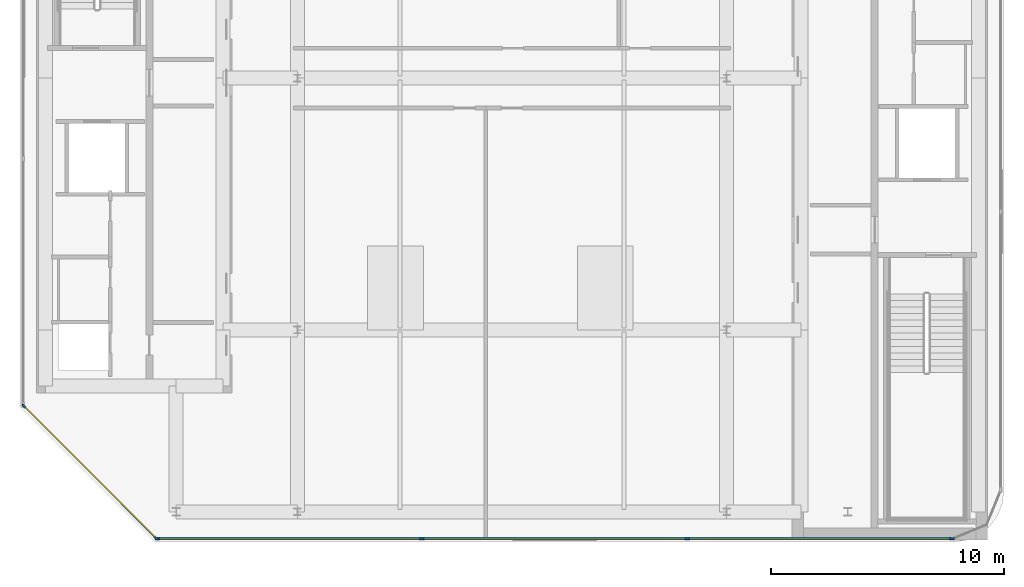
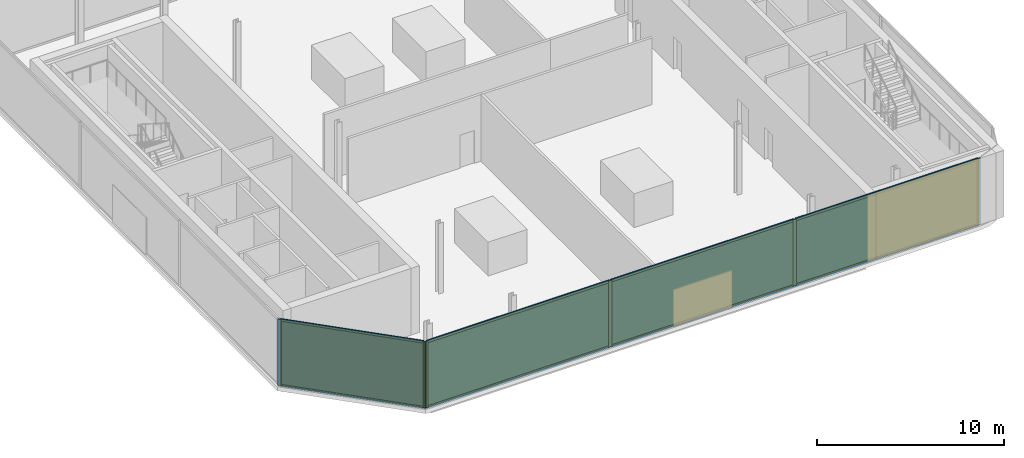
# One storey, part 7 of 15: 14 members, 4 plates, 2 curtain walls.
"""IFC4 building model written with IfcOpenShell, lengths in metres."""

from ifc_helpers import new_model, si_unit, direction, frame, frame_2d, origin, origin_2d, place, context, subcontext, project, spatial, rectangle, extrude, material, layer, layer_set, material_profile, profile_set, type_object, element, aggregate, save


model = new_model("IFC4")

# Units and contexts
model_context = context("Model", 3, precision=1e-05, world=origin(), true_north=direction((0.0, 1.0)))
body_context = subcontext(model_context, "Body", "Model", "MODEL_VIEW")
ifc_project = project(units=[si_unit("LENGTHUNIT", "METRE"), si_unit("AREAUNIT", "SQUARE_METRE"), si_unit("VOLUMEUNIT", "CUBIC_METRE"), si_unit("PLANEANGLEUNIT", "RADIAN"), si_unit("MASSUNIT", "GRAM", prefix="KILO")], contexts=[model_context])

# Member
ifc_material_1 = material(Name="Anodised Bronze Aluminium 6063-T6", Category="aluminium")
ifc_material_profile_1 = material_profile(ifc_material_1, rectangle(XDim=0.074951171875, YDim=0.2099609375, at=origin_2d()))
ifc_profile_set_1 = profile_set([ifc_material_profile_1], Name="Anodised Bronze Aluminium 6063-T6")
member_type_1 = type_object("IfcMemberType", Name="CW-CRN Mullion 75x210", PredefinedType="MULLION", material=ifc_profile_set_1)
site_placement = place(None, origin())
building_placement = place(site_placement, origin())
storey_placement = place(building_placement, frame((0.0, 0.0, 330.39990234375)))
member_1_placement = place(storey_placement, frame((18.853271484375, -19.760009765625, 0.0), z_axis=(0.0, 0.0, 1.0), x_axis=(0.0, -1.0, 0.0)))
member_1 = element("IfcMember", 1, at=member_1_placement, type_object=member_type_1, Name="CW-CRN mullion 1", PredefinedType="MULLION", context=body_context, shape_type="SweptSolid", body=[
    extrude(rectangle(XDim=0.074951171875, YDim=0.2099609375, at=origin_2d()), origin(), (0.0, 0.0, 1.0), 4.340087890625),
])

member_2_placement = place(storey_placement, frame((7.51318359375, -19.760009765625, 0.0), z_axis=(0.0, 0.0, 1.0), x_axis=(0.0, -1.0, 0.0)))
member_2 = element("IfcMember", 2, at=member_2_placement, type_object=member_type_1, Name="CW-CRN mullion 2", PredefinedType="MULLION", context=body_context, shape_type="SweptSolid", body=[
    extrude(rectangle(XDim=0.074951171875, YDim=0.2099609375, at=origin_2d()), origin(), (0.0, 0.0, 1.0), 4.340087890625),
])

member_3_placement = place(storey_placement, frame((-3.864501953125, -19.760009765625, 0.0), z_axis=(0.0, 0.0, 1.0), x_axis=(0.0, -1.0, 0.0)))
member_3 = element("IfcMember", 3, at=member_3_placement, type_object=member_type_1, Name="CW-CRN mullion 3", PredefinedType="MULLION", context=body_context, shape_type="SweptSolid", body=[
    extrude(rectangle(XDim=0.074951171875, YDim=0.2099609375, at=origin_2d()), origin(), (0.0, 0.0, 1.0), 4.340087890625),
])

member_4_placement = place(storey_placement, frame((-15.20458984375, -19.760009765625, 0.0), z_axis=(0.0, 0.0, 1.0), x_axis=(0.0, -1.0, 0.0)))
member_4 = element("IfcMember", 4, at=member_4_placement, type_object=member_type_1, Name="CW-CRN mullion 4", PredefinedType="MULLION", context=body_context, shape_type="SweptSolid", body=[
    extrude(rectangle(XDim=0.074951171875, YDim=0.2099609375, at=origin_2d()), origin(), (0.0, 0.0, 1.0), 4.340087890625),
])

ifc_material_2 = material(Name="Anodised Bronze Aluminium 6063-T6", Category="aluminium")
ifc_material_profile_2 = material_profile(ifc_material_2, rectangle(XDim=0.074951171875, YDim=0.1650390625, at=origin_2d()))
ifc_profile_set_2 = profile_set([ifc_material_profile_2], Name="Anodised Bronze Aluminium 6063-T6")
member_type_2 = type_object("IfcMemberType", Name="CW-CRN Transom 75x165", PredefinedType="USERDEFINED", material=ifc_profile_set_2)
member_5_placement = place(storey_placement, frame((18.81591796875, -19.760009765625, 0.03759765625), z_axis=(-1.0, 0.0, 0.0), x_axis=(0.0, -1.0, 0.0)))
member_5 = element("IfcMember", 5, at=member_5_placement, type_object=member_type_2, Name="CW-CRN transom 1.1", ObjectType="TRANSOM", PredefinedType="USERDEFINED", context=body_context, shape_type="SweptSolid", body=[
    extrude(rectangle(XDim=0.074951171875, YDim=0.1650390625, at=origin_2d()), origin(), (0.0, 0.0, 1.0), 11.26513671875),
])

member_6_placement = place(storey_placement, frame((18.81591796875, -19.760009765625, 4.302490234375), z_axis=(-1.0, 0.0, 0.0), x_axis=(0.0, -1.0, 0.0)))
member_6 = element("IfcMember", 6, at=member_6_placement, type_object=member_type_2, Name="CW-CRN transom 1.2", ObjectType="TRANSOM", PredefinedType="USERDEFINED", context=body_context, shape_type="SweptSolid", body=[
    extrude(rectangle(XDim=0.074951171875, YDim=0.1650390625, at=origin_2d()), origin(), (0.0, 0.0, 1.0), 11.26513671875),
])

member_7_placement = place(storey_placement, frame((7.4755859375, -19.760009765625, 0.03759765625), z_axis=(-1.0, 0.0, 0.0), x_axis=(0.0, -1.0, 0.0)))
member_7 = element("IfcMember", 7, at=member_7_placement, type_object=member_type_2, Name="CW-CRN transom 2.1", ObjectType="TRANSOM", PredefinedType="USERDEFINED", context=body_context, shape_type="SweptSolid", body=[
    extrude(rectangle(XDim=0.074951171875, YDim=0.1650390625, at=origin_2d()), origin(), (0.0, 0.0, 1.0), 11.302490234375),
])

member_8_placement = place(storey_placement, frame((7.4755859375, -19.760009765625, 4.302490234375), z_axis=(-1.0, 0.0, 0.0), x_axis=(0.0, -1.0, 0.0)))
member_8 = element("IfcMember", 8, at=member_8_placement, type_object=member_type_2, Name="CW-CRN transom 2.2", ObjectType="TRANSOM", PredefinedType="USERDEFINED", context=body_context, shape_type="SweptSolid", body=[
    extrude(rectangle(XDim=0.074951171875, YDim=0.1650390625, at=origin_2d()), origin(), (0.0, 0.0, 1.0), 11.302490234375),
])

member_9_placement = place(storey_placement, frame((-3.90185546875, -19.760009765625, 0.03759765625), z_axis=(-1.0, 0.0, 0.0), x_axis=(0.0, -1.0, 0.0)))
member_9 = element("IfcMember", 9, at=member_9_placement, type_object=member_type_2, Name="CW-CRN transom 3.1", ObjectType="TRANSOM", PredefinedType="USERDEFINED", context=body_context, shape_type="SweptSolid", body=[
    extrude(rectangle(XDim=0.074951171875, YDim=0.1650390625, at=origin_2d()), origin(), (0.0, 0.0, 1.0), 11.26513671875),
])

member_10_placement = place(storey_placement, frame((-3.90185546875, -19.760009765625, 4.302490234375), z_axis=(-1.0, 0.0, 0.0), x_axis=(0.0, -1.0, 0.0)))
member_10 = element("IfcMember", 10, at=member_10_placement, type_object=member_type_2, Name="CW-CRN transom 3.2", ObjectType="TRANSOM", PredefinedType="USERDEFINED", context=body_context, shape_type="SweptSolid", body=[
    extrude(rectangle(XDim=0.074951171875, YDim=0.1650390625, at=origin_2d()), origin(), (0.0, 0.0, 1.0), 11.26513671875),
])

ifc_material_3 = material(Name="Anodised Bronze Aluminium 6063-T6", Category="aluminium")
ifc_material_profile_3 = material_profile(ifc_material_3, rectangle(XDim=0.070068359375, YDim=0.18994140625, at=origin_2d()))
ifc_profile_set_3 = profile_set([ifc_material_profile_3], Name="Anodised Bronze Aluminium 6063-T6")
member_type_3 = type_object("IfcMemberType", Name="CW-SLC Mullion 70x190", PredefinedType="MULLION", material=ifc_profile_set_3)
member_11_placement = place(storey_placement, frame((-15.266845703125, -19.7353515625, 0.0), z_axis=(0.0, 0.0, 1.0), x_axis=(-0.707106781187, -0.707106781187, 0.0)))
member_11 = element("IfcMember", 11, at=member_11_placement, type_object=member_type_3, Name="CW-SLC mullion 1", PredefinedType="MULLION", context=body_context, shape_type="SweptSolid", body=[
    extrude(rectangle(XDim=0.070068359375, YDim=0.18994140625, at=origin_2d()), origin(), (0.0, 0.0, 1.0), 4.340087890625),
])

member_12_placement = place(storey_placement, frame((-20.935302734375, -14.066650390625, 0.0), z_axis=(0.0, 0.0, 1.0), x_axis=(-0.707106781187, -0.707106781187, 0.0)))
member_12 = element("IfcMember", 12, at=member_12_placement, type_object=member_type_3, Name="CW-SLC mullion 2", PredefinedType="MULLION", context=body_context, shape_type="SweptSolid", body=[
    extrude(rectangle(XDim=0.070068359375, YDim=0.18994140625, at=origin_2d()), origin(), (0.0, 0.0, 1.0), 4.340087890625),
])

ifc_material_4 = material(Name="Anodised Bronze Aluminium 6063-T6", Category="aluminium")
ifc_material_profile_4 = material_profile(ifc_material_4, rectangle(XDim=0.070068359375, YDim=0.14990234375, at=origin_2d()))
ifc_profile_set_4 = profile_set([ifc_material_profile_4], Name="Anodised Bronze Aluminium 6063-T6")
member_type_4 = type_object("IfcMemberType", Name="CW-SLC Transom 70x150", PredefinedType="USERDEFINED", material=ifc_profile_set_4)
member_13_placement = place(storey_placement, frame((-15.29150390625, -19.71044921875, 0.03515625), z_axis=(-0.707106781187, 0.707106781187, 0.0), x_axis=(-0.707106781187, -0.707106781187, 0.0)))
member_13 = element("IfcMember", 13, at=member_13_placement, type_object=member_type_4, Name="CW-SLC transom 1.1", ObjectType="TRANSOM", PredefinedType="USERDEFINED", context=body_context, shape_type="SweptSolid", body=[
    extrude(rectangle(XDim=0.070068359375, YDim=0.14990234375, at=origin_2d()), origin(), (0.0, 0.0, 1.0), 7.9462890625),
])

member_14_placement = place(storey_placement, frame((-15.29150390625, -19.71044921875, 4.30517578125), z_axis=(-0.707106781187, 0.707106781187, 0.0), x_axis=(-0.707106781187, -0.707106781187, 0.0)))
member_14 = element("IfcMember", 14, at=member_14_placement, type_object=member_type_4, Name="CW-SLC transom 1.2", ObjectType="TRANSOM", PredefinedType="USERDEFINED", context=body_context, shape_type="SweptSolid", body=[
    extrude(rectangle(XDim=0.070068359375, YDim=0.14990234375, at=origin_2d()), origin(), (0.0, 0.0, 1.0), 7.9462890625),
])

# Plate
ifc_material_5 = material(Name="Low-E Solar Control Laminated Glass", Category="glass")
ifc_layer_1 = layer(ifc_material_5, 0.035888671875, Name="Low-E Solar Control Laminated Glass")
ifc_layer_set_1 = layer_set([ifc_layer_1], Name="Low-E Solar Control Laminated Glass")
plate_type_1 = type_object("IfcPlateType", Name="CW-CRN Low-E Double Glazed Panel 36mm", PredefinedType="CURTAIN_PANEL", material=ifc_layer_set_1)
plate_1_placement = place(storey_placement, frame((13.183349609375, -19.760009765625, 0.0751953125), z_axis=(0.0, 0.0, 1.0), x_axis=(-1.0, 0.0, 0.0)))
plate_1 = element("IfcPlate", 15, at=plate_1_placement, type_object=plate_type_1, Name="CW-CRN panel 1.1", PredefinedType="CURTAIN_PANEL", context=body_context, shape_type="SweptSolid", body=[
    extrude(rectangle(XDim=11.26513671875, YDim=0.035888671875, at=origin_2d()), origin(), (0.0, 0.0, 1.0), 4.18994140625),
])

plate_2_placement = place(storey_placement, frame((1.824462890625, -19.760009765625, 0.0751953125), z_axis=(0.0, 0.0, 1.0), x_axis=(-1.0, 0.0, 0.0)))
plate_2 = element("IfcPlate", 16, at=plate_2_placement, type_object=plate_type_1, Name="CW-CRN panel 2.1", PredefinedType="CURTAIN_PANEL", context=body_context, shape_type="SweptSolid", body=[
    extrude(rectangle(XDim=11.302490234375, YDim=0.035888671875, at=origin_2d()), origin(), (0.0, 0.0, 1.0), 4.18994140625),
])

plate_3_placement = place(storey_placement, frame((-9.534423828125, -19.760009765625, 0.0751953125), z_axis=(0.0, 0.0, 1.0), x_axis=(-1.0, 0.0, 0.0)))
plate_3 = element("IfcPlate", 17, at=plate_3_placement, type_object=plate_type_1, Name="CW-CRN panel 3.1", PredefinedType="CURTAIN_PANEL", context=body_context, shape_type="SweptSolid", body=[
    extrude(rectangle(XDim=11.26513671875, YDim=0.035888671875, at=origin_2d()), origin(), (0.0, 0.0, 1.0), 4.18994140625),
])

ifc_material_6 = material(Name="Low-E Solar Control Laminated Glass", Category="glass")
ifc_layer_2 = layer(ifc_material_6, 0.033935546875, Name="Low-E Solar Control Laminated Glass")
ifc_layer_set_2 = layer_set([ifc_layer_2], Name="Low-E Solar Control Laminated Glass")
plate_type_2 = type_object("IfcPlateType", Name="CW-SLC Low-E Double Glazed Panel 34mm", PredefinedType="CURTAIN_PANEL", material=ifc_layer_set_2)
plate_4_placement = place(storey_placement, frame((-18.10107421875, -16.90087890625, 0.0703125), z_axis=(0.0, 0.0, 1.0), x_axis=(-0.707106781187, 0.707106781187, 0.0)))
plate_4 = element("IfcPlate", 18, at=plate_4_placement, type_object=plate_type_2, Name="CW-SLC panel 1.1", PredefinedType="CURTAIN_PANEL", context=body_context, shape_type="SweptSolid", body=[
    extrude(rectangle(XDim=7.946533203125, YDim=0.033935546875, at=origin_2d()), origin(), (0.0, 0.0, 1.0), 4.199951171875),
])

# Site, building, storey
site = spatial("IfcSite", under=ifc_project, at=site_placement, CompositionType="ELEMENT")
building = spatial("IfcBuilding", under=site, at=building_placement, Name="Khairoan Windgate Tower", CompositionType="ELEMENT")
storey = spatial("IfcBuildingStorey", under=building, at=storey_placement, Name="L79", CompositionType="ELEMENT", Elevation=330.39990234375)

# Curtain wall
ifc_material_7 = material(Name="Anodised Bronze Aluminium 6063-T6", Category="aluminium")
ifc_layer_3 = layer(ifc_material_7, 0.2099609375, Name="Anodised Bronze Aluminium 6063-T6")
ifc_layer_set_3 = layer_set([ifc_layer_3], Name="Anodised Bronze Aluminium 6063-T6")
curtain_wall_type_1 = type_object("IfcCurtainWallType", Name="Crown Observation and Vitrine Curtain Wall CW-CRN", PredefinedType="NOTDEFINED", material=ifc_layer_set_3)
curtain_wall_1_placement = place(storey_placement, frame((18.890869140625, -19.760009765625, 0.0), z_axis=(0.0, 0.0, 1.0), x_axis=(-1.0, 0.0, 0.0)))
curtain_wall_1 = element("IfcCurtainWall", 19, at=curtain_wall_1_placement, inside=storey, type_object=curtain_wall_type_1, Name="L79 Unitised Curtain Wall 1", PredefinedType="NOTDEFINED", context=body_context, shape_type="SweptSolid", body=[
    extrude(rectangle(XDim=34.1328125, YDim=0.010009765625, at=frame_2d((17.06640625, 0.0))), origin(), (0.0, 0.0, 1.0), 4.340087890625),
])

aggregate(curtain_wall_1, [member_1, member_2, member_3, member_4, member_5, member_6, plate_1, member_7, member_8, plate_2, member_9, member_10, plate_3])

ifc_material_8 = material(Name="Anodised Bronze Aluminium 6063-T6", Category="aluminium")
ifc_layer_4 = layer(ifc_material_8, 0.18994140625, Name="Anodised Bronze Aluminium 6063-T6")
ifc_layer_set_4 = layer_set([ifc_layer_4], Name="Anodised Bronze Aluminium 6063-T6")
curtain_wall_type_2 = type_object("IfcCurtainWallType", Name="Diagonal Corner-Slice Facet Curtain Wall CW-SLC", PredefinedType="NOTDEFINED", material=ifc_layer_set_4)
curtain_wall_2_placement = place(storey_placement, frame((-15.241943359375, -19.760009765625, 0.0), z_axis=(0.0, 0.0, 1.0), x_axis=(-0.707106781187, 0.707106781187, 0.0)))
curtain_wall_2 = element("IfcCurtainWall", 20, at=curtain_wall_2_placement, inside=storey, type_object=curtain_wall_type_2, Name="L79 Crystal Slice Curtain Wall 2", PredefinedType="NOTDEFINED", context=body_context, shape_type="SweptSolid", body=[
    extrude(rectangle(XDim=8.08642578125, YDim=0.010009765625, at=frame_2d((4.043212890625, 0.0))), origin(), (0.0, 0.0, 1.0), 4.340087890625),
])

aggregate(curtain_wall_2, [member_11, member_12, member_13, member_14, plate_4])

save(model, "model.ifc")
